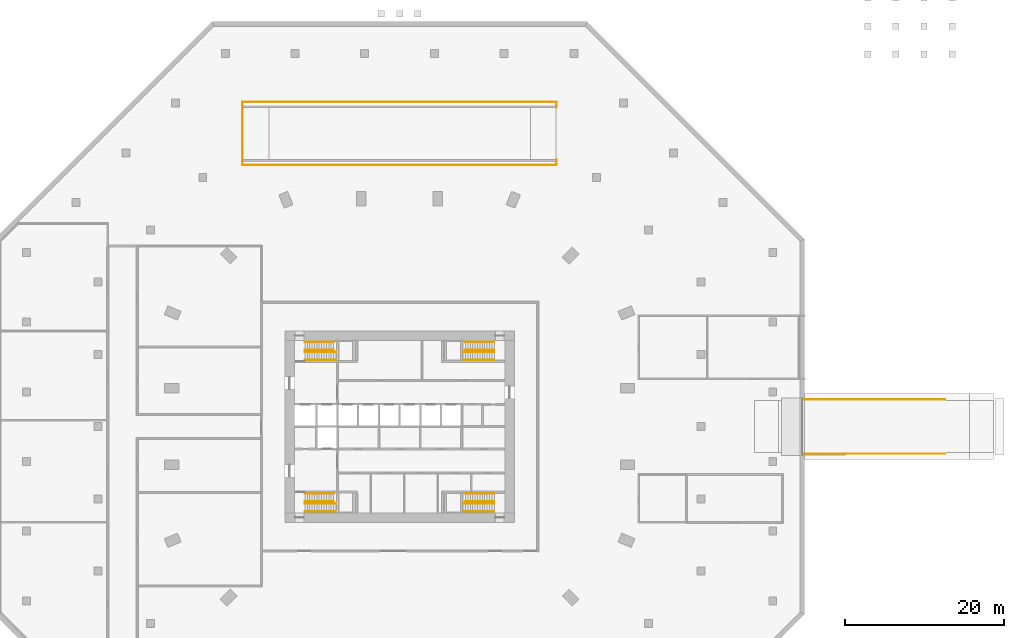
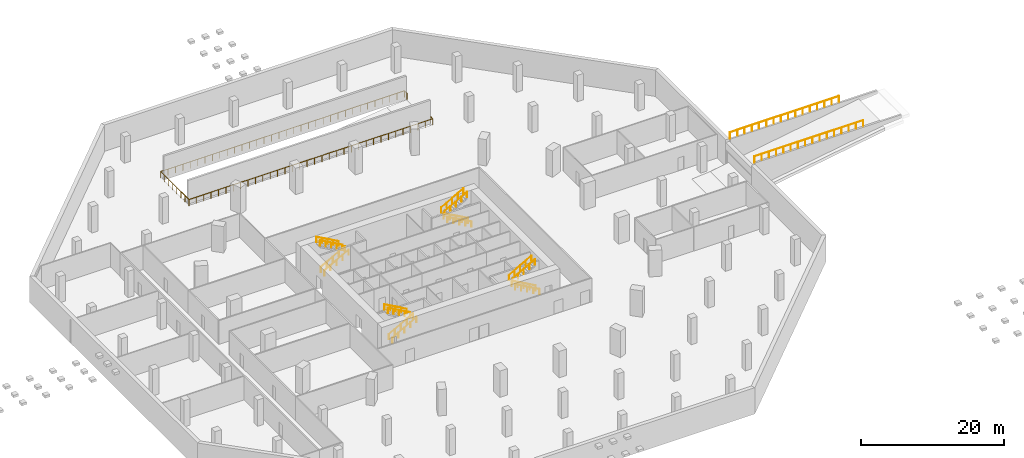
# One storey, part 11 of 11: 19 railings.
"""IFC4 building model written with IfcOpenShell, lengths in metres."""

from ifc_helpers import new_model, si_unit, direction, frame, origin, origin_2d, place, context, subcontext, project, spatial, circle, extrude, material, constituent, constituent_set, type_object, element, save


model = new_model("IFC4")

# Units and contexts
model_context = context("Model", 3, precision=1e-05, world=origin(), true_north=direction((0.0, 1.0)))
body_context = subcontext(model_context, "Body", "Model", "MODEL_VIEW")
ifc_project = project(units=[si_unit("LENGTHUNIT", "METRE"), si_unit("AREAUNIT", "SQUARE_METRE"), si_unit("VOLUMEUNIT", "CUBIC_METRE"), si_unit("PLANEANGLEUNIT", "RADIAN"), si_unit("MASSUNIT", "GRAM", prefix="KILO")], contexts=[model_context])

# Site, building, storey
site_placement = place(None, origin())
site = spatial("IfcSite", under=ifc_project, at=site_placement, CompositionType="ELEMENT")
building_placement = place(site_placement, origin())
building = spatial("IfcBuilding", under=site, at=building_placement, Name="Msitu Wima Residences", CompositionType="ELEMENT")
storey_placement = place(building_placement, frame((0.0, 0.0, -4.5)))
storey = spatial("IfcBuildingStorey", under=building, at=storey_placement, Name="B1", CompositionType="ELEMENT", Elevation=-4.5)

# Railings
ifc_material_1 = material(Name="Steel S355", Category="steel")
ifc_constituent_1 = constituent(ifc_material_1, Name="Steel S355")
ifc_material_2 = material(Name="Black powder coating")
ifc_constituent_2 = constituent(ifc_material_2, Name="Black powder coating")
ifc_constituent_set_1 = constituent_set(constituents=[ifc_constituent_1, ifc_constituent_2], Name="Steel S355")
railing_type_1 = type_object("IfcRailingType", Name="Ramp guard G1100", PredefinedType="GUARDRAIL", material=ifc_constituent_set_1)
railing_1_placement = place(storey_placement, frame((50.800048828125, -3.39990234375, 4.64990234375)))
element("IfcRailing", 1, at=railing_1_placement, inside=storey, type_object=railing_type_1, Name="Ramp edge guard", PredefinedType="GUARDRAIL", context=body_context, shape_type="SweptSolid", body=[
    extrude(circle(Radius=0.02392578125, at=origin_2d()), frame((0.0, 0.0, 1.076171875), z_axis=(1.0, 0.0, 0.0), x_axis=(0.0, 1.0, 0.0)), (0.0, 0.0, 1.0), 17.599853515625),
    extrude(circle(Radius=0.02099609375, at=origin_2d()), origin(), (0.0, 0.0, 1.0), 1.052001953125),
    extrude(circle(Radius=0.02099609375, at=origin_2d()), frame((1.17333984375, 0.0, 0.0)), (0.0, 0.0, 1.0), 1.052001953125),
    extrude(circle(Radius=0.02099609375, at=origin_2d()), frame((2.3466796875, 0.0, 0.0)), (0.0, 0.0, 1.0), 1.052001953125),
    extrude(circle(Radius=0.02099609375, at=origin_2d()), frame((3.52001953125, 0.0, 0.0)), (0.0, 0.0, 1.0), 1.052001953125),
    extrude(circle(Radius=0.02099609375, at=origin_2d()), frame((4.693359375, 0.0, 0.0)), (0.0, 0.0, 1.0), 1.052001953125),
    extrude(circle(Radius=0.02099609375, at=origin_2d()), frame((5.86669921875, 0.0, 0.0)), (0.0, 0.0, 1.0), 1.052001953125),
    extrude(circle(Radius=0.02099609375, at=origin_2d()), frame((7.0400390625, 0.0, 0.0)), (0.0, 0.0, 1.0), 1.052001953125),
    extrude(circle(Radius=0.02099609375, at=origin_2d()), frame((8.21337890625, 0.0, 0.0)), (0.0, 0.0, 1.0), 1.052001953125),
    extrude(circle(Radius=0.02099609375, at=origin_2d()), frame((9.386474609375, 0.0, 0.0)), (0.0, 0.0, 1.0), 1.052001953125),
    extrude(circle(Radius=0.02099609375, at=origin_2d()), frame((10.559814453125, 0.0, 0.0)), (0.0, 0.0, 1.0), 1.052001953125),
    extrude(circle(Radius=0.02099609375, at=origin_2d()), frame((11.733154296875, 0.0, 0.0)), (0.0, 0.0, 1.0), 1.052001953125),
    extrude(circle(Radius=0.02099609375, at=origin_2d()), frame((12.906494140625, 0.0, 0.0)), (0.0, 0.0, 1.0), 1.052001953125),
    extrude(circle(Radius=0.02099609375, at=origin_2d()), frame((14.079833984375, 0.0, 0.0)), (0.0, 0.0, 1.0), 1.052001953125),
    extrude(circle(Radius=0.02099609375, at=origin_2d()), frame((15.253173828125, 0.0, 0.0)), (0.0, 0.0, 1.0), 1.052001953125),
    extrude(circle(Radius=0.02099609375, at=origin_2d()), frame((16.426513671875, 0.0, 0.0)), (0.0, 0.0, 1.0), 1.052001953125),
    extrude(circle(Radius=0.02099609375, at=origin_2d()), frame((17.599853515625, 0.0, 0.0)), (0.0, 0.0, 1.0), 1.052001953125),
])
railing_2_placement = place(storey_placement, frame((50.800048828125, 3.39990234375, 4.64990234375)))
element("IfcRailing", 2, at=railing_2_placement, inside=storey, type_object=railing_type_1, Name="Ramp edge guard", PredefinedType="GUARDRAIL", context=body_context, shape_type="SweptSolid", body=[
    extrude(circle(Radius=0.02392578125, at=origin_2d()), frame((0.0, 0.0, 1.076171875), z_axis=(1.0, 0.0, 0.0), x_axis=(0.0, 1.0, 0.0)), (0.0, 0.0, 1.0), 17.599853515625),
    extrude(circle(Radius=0.02099609375, at=origin_2d()), origin(), (0.0, 0.0, 1.0), 1.052001953125),
    extrude(circle(Radius=0.02099609375, at=origin_2d()), frame((1.17333984375, 0.0, 0.0)), (0.0, 0.0, 1.0), 1.052001953125),
    extrude(circle(Radius=0.02099609375, at=origin_2d()), frame((2.3466796875, 0.0, 0.0)), (0.0, 0.0, 1.0), 1.052001953125),
    extrude(circle(Radius=0.02099609375, at=origin_2d()), frame((3.52001953125, 0.0, 0.0)), (0.0, 0.0, 1.0), 1.052001953125),
    extrude(circle(Radius=0.02099609375, at=origin_2d()), frame((4.693359375, 0.0, 0.0)), (0.0, 0.0, 1.0), 1.052001953125),
    extrude(circle(Radius=0.02099609375, at=origin_2d()), frame((5.86669921875, 0.0, 0.0)), (0.0, 0.0, 1.0), 1.052001953125),
    extrude(circle(Radius=0.02099609375, at=origin_2d()), frame((7.0400390625, 0.0, 0.0)), (0.0, 0.0, 1.0), 1.052001953125),
    extrude(circle(Radius=0.02099609375, at=origin_2d()), frame((8.21337890625, 0.0, 0.0)), (0.0, 0.0, 1.0), 1.052001953125),
    extrude(circle(Radius=0.02099609375, at=origin_2d()), frame((9.386474609375, 0.0, 0.0)), (0.0, 0.0, 1.0), 1.052001953125),
    extrude(circle(Radius=0.02099609375, at=origin_2d()), frame((10.559814453125, 0.0, 0.0)), (0.0, 0.0, 1.0), 1.052001953125),
    extrude(circle(Radius=0.02099609375, at=origin_2d()), frame((11.733154296875, 0.0, 0.0)), (0.0, 0.0, 1.0), 1.052001953125),
    extrude(circle(Radius=0.02099609375, at=origin_2d()), frame((12.906494140625, 0.0, 0.0)), (0.0, 0.0, 1.0), 1.052001953125),
    extrude(circle(Radius=0.02099609375, at=origin_2d()), frame((14.079833984375, 0.0, 0.0)), (0.0, 0.0, 1.0), 1.052001953125),
    extrude(circle(Radius=0.02099609375, at=origin_2d()), frame((15.253173828125, 0.0, 0.0)), (0.0, 0.0, 1.0), 1.052001953125),
    extrude(circle(Radius=0.02099609375, at=origin_2d()), frame((16.426513671875, 0.0, 0.0)), (0.0, 0.0, 1.0), 1.052001953125),
    extrude(circle(Radius=0.02099609375, at=origin_2d()), frame((17.599853515625, 0.0, 0.0)), (0.0, 0.0, 1.0), 1.052001953125),
])
ifc_constituent_3 = constituent(ifc_material_1, Name="Steel S355")
ifc_constituent_4 = constituent(ifc_material_2, Name="Black powder coating")
ifc_constituent_set_2 = constituent_set(constituents=[ifc_constituent_3, ifc_constituent_4], Name="Steel S355")
railing_type_2 = type_object("IfcRailingType", Name="Stair handrail HR1", PredefinedType="HANDRAIL", material=ifc_constituent_set_2)
for number, where, name in (
    (3, (-11.875, 8.375, 0.166748046875), "Stair 1 handrail"),
    (4, (-11.875, 9.375, 0.166748046875), "Stair 1 handrail"),
):
    element("IfcRailing", number, at=place(storey_placement, frame(where)), inside=storey, type_object=railing_type_2, Name=name, PredefinedType="HANDRAIL", context=body_context, shape_type="SweptSolid", body=[
        extrude(circle(Radius=0.02392578125, at=origin_2d()), frame((0.0, 0.0, 0.8759765625), z_axis=(0.874167601283, 0.0, 0.485624345423), x_axis=(0.0, 1.0, 0.0)), (0.0, 0.0, 1.0), 4.461181640625),
        extrude(circle(Radius=0.02099609375, at=origin_2d()), origin(), (0.0, 0.0, 1.0), 0.851806640625),
        extrude(circle(Radius=0.02099609375, at=origin_2d()), frame((0.97509765625, 0.0, 0.54150390625)), (0.0, 0.0, 1.0), 0.851806640625),
        extrude(circle(Radius=0.02099609375, at=origin_2d()), frame((1.949951171875, 0.0, 1.083251953125)), (0.0, 0.0, 1.0), 0.851806640625),
        extrude(circle(Radius=0.02099609375, at=origin_2d()), frame((2.9248046875, 0.0, 1.625)), (0.0, 0.0, 1.0), 0.851806640625),
        extrude(circle(Radius=0.02099609375, at=origin_2d()), frame((3.89990234375, 0.0, 2.16650390625)), (0.0, 0.0, 1.0), 0.851806640625),
    ])
for number, where, name in (
    (5, (-8.27490234375, 9.625, 2.5), "Stair 1 handrail"),
    (6, (-8.27490234375, 10.625, 2.5), "Stair 1 handrail"),
):
    element("IfcRailing", number, at=place(storey_placement, frame(where)), inside=storey, type_object=railing_type_2, Name=name, PredefinedType="HANDRAIL", context=body_context, shape_type="SweptSolid", body=[
        extrude(circle(Radius=0.02392578125, at=origin_2d()), frame((0.0, 0.0, 0.8759765625), z_axis=(-0.874162868644, 0.0, 0.485632864501), x_axis=(0.0, -1.0, 0.0)), (0.0, 0.0, 1.0), 4.118408203125),
        extrude(circle(Radius=0.02099609375, at=origin_2d()), origin(), (0.0, 0.0, 1.0), 0.851806640625),
        extrude(circle(Radius=0.02099609375, at=origin_2d()), frame((-0.89990234375, 0.0, 0.5)), (0.0, 0.0, 1.0), 0.851806640625),
        extrude(circle(Radius=0.02099609375, at=origin_2d()), frame((-1.800048828125, 0.0, 1.0)), (0.0, 0.0, 1.0), 0.851806640625),
        extrude(circle(Radius=0.02099609375, at=origin_2d()), frame((-2.7001953125, 0.0, 1.5)), (0.0, 0.0, 1.0), 0.851806640625),
        extrude(circle(Radius=0.02099609375, at=origin_2d()), frame((-3.60009765625, 0.0, 2.0)), (0.0, 0.0, 1.0), 0.851806640625),
    ])
for number, where, name in (
    (7, (-11.875, -10.625, 0.166748046875), "Stair 2 handrail"),
    (8, (-11.875, -9.625, 0.166748046875), "Stair 2 handrail"),
):
    element("IfcRailing", number, at=place(storey_placement, frame(where)), inside=storey, type_object=railing_type_2, Name=name, PredefinedType="HANDRAIL", context=body_context, shape_type="SweptSolid", body=[
        extrude(circle(Radius=0.02392578125, at=origin_2d()), frame((0.0, 0.0, 0.8759765625), z_axis=(0.874167601283, 0.0, 0.485624345423), x_axis=(0.0, 1.0, 0.0)), (0.0, 0.0, 1.0), 4.461181640625),
        extrude(circle(Radius=0.02099609375, at=origin_2d()), origin(), (0.0, 0.0, 1.0), 0.851806640625),
        extrude(circle(Radius=0.02099609375, at=origin_2d()), frame((0.97509765625, 0.0, 0.54150390625)), (0.0, 0.0, 1.0), 0.851806640625),
        extrude(circle(Radius=0.02099609375, at=origin_2d()), frame((1.949951171875, 0.0, 1.083251953125)), (0.0, 0.0, 1.0), 0.851806640625),
        extrude(circle(Radius=0.02099609375, at=origin_2d()), frame((2.9248046875, 0.0, 1.625)), (0.0, 0.0, 1.0), 0.851806640625),
        extrude(circle(Radius=0.02099609375, at=origin_2d()), frame((3.89990234375, 0.0, 2.16650390625)), (0.0, 0.0, 1.0), 0.851806640625),
    ])
for number, where, name in (
    (9, (-8.27490234375, -9.375, 2.5), "Stair 2 handrail"),
    (10, (-8.27490234375, -8.375, 2.5), "Stair 2 handrail"),
):
    element("IfcRailing", number, at=place(storey_placement, frame(where)), inside=storey, type_object=railing_type_2, Name=name, PredefinedType="HANDRAIL", context=body_context, shape_type="SweptSolid", body=[
        extrude(circle(Radius=0.02392578125, at=origin_2d()), frame((0.0, 0.0, 0.8759765625), z_axis=(-0.874162868644, 0.0, 0.485632864501), x_axis=(0.0, -1.0, 0.0)), (0.0, 0.0, 1.0), 4.118408203125),
        extrude(circle(Radius=0.02099609375, at=origin_2d()), origin(), (0.0, 0.0, 1.0), 0.851806640625),
        extrude(circle(Radius=0.02099609375, at=origin_2d()), frame((-0.89990234375, 0.0, 0.5)), (0.0, 0.0, 1.0), 0.851806640625),
        extrude(circle(Radius=0.02099609375, at=origin_2d()), frame((-1.800048828125, 0.0, 1.0)), (0.0, 0.0, 1.0), 0.851806640625),
        extrude(circle(Radius=0.02099609375, at=origin_2d()), frame((-2.7001953125, 0.0, 1.5)), (0.0, 0.0, 1.0), 0.851806640625),
        extrude(circle(Radius=0.02099609375, at=origin_2d()), frame((-3.60009765625, 0.0, 2.0)), (0.0, 0.0, 1.0), 0.851806640625),
    ])
for number, where, name in (
    (11, (11.875, 8.375, 0.166748046875), "Stair 3 handrail"),
    (12, (11.875, 9.375, 0.166748046875), "Stair 3 handrail"),
):
    element("IfcRailing", number, at=place(storey_placement, frame(where)), inside=storey, type_object=railing_type_2, Name=name, PredefinedType="HANDRAIL", context=body_context, shape_type="SweptSolid", body=[
        extrude(circle(Radius=0.02392578125, at=origin_2d()), frame((0.0, 0.0, 0.8759765625), z_axis=(-0.874167601283, 0.0, 0.485624345423), x_axis=(0.0, -1.0, 0.0)), (0.0, 0.0, 1.0), 4.461181640625),
        extrude(circle(Radius=0.02099609375, at=origin_2d()), origin(), (0.0, 0.0, 1.0), 0.851806640625),
        extrude(circle(Radius=0.02099609375, at=origin_2d()), frame((-0.97509765625, 0.0, 0.54150390625)), (0.0, 0.0, 1.0), 0.851806640625),
        extrude(circle(Radius=0.02099609375, at=origin_2d()), frame((-1.949951171875, 0.0, 1.083251953125)), (0.0, 0.0, 1.0), 0.851806640625),
        extrude(circle(Radius=0.02099609375, at=origin_2d()), frame((-2.9248046875, 0.0, 1.625)), (0.0, 0.0, 1.0), 0.851806640625),
        extrude(circle(Radius=0.02099609375, at=origin_2d()), frame((-3.89990234375, 0.0, 2.16650390625)), (0.0, 0.0, 1.0), 0.851806640625),
    ])
for number, where, name in (
    (13, (8.27490234375, 9.625, 2.5), "Stair 3 handrail"),
    (14, (8.27490234375, 10.625, 2.5), "Stair 3 handrail"),
):
    element("IfcRailing", number, at=place(storey_placement, frame(where)), inside=storey, type_object=railing_type_2, Name=name, PredefinedType="HANDRAIL", context=body_context, shape_type="SweptSolid", body=[
        extrude(circle(Radius=0.02392578125, at=origin_2d()), frame((0.0, 0.0, 0.8759765625), z_axis=(0.874162868644, 0.0, 0.485632864501), x_axis=(0.0, 1.0, 0.0)), (0.0, 0.0, 1.0), 4.118408203125),
        extrude(circle(Radius=0.02099609375, at=origin_2d()), origin(), (0.0, 0.0, 1.0), 0.851806640625),
        extrude(circle(Radius=0.02099609375, at=origin_2d()), frame((0.89990234375, 0.0, 0.5)), (0.0, 0.0, 1.0), 0.851806640625),
        extrude(circle(Radius=0.02099609375, at=origin_2d()), frame((1.800048828125, 0.0, 1.0)), (0.0, 0.0, 1.0), 0.851806640625),
        extrude(circle(Radius=0.02099609375, at=origin_2d()), frame((2.7001953125, 0.0, 1.5)), (0.0, 0.0, 1.0), 0.851806640625),
        extrude(circle(Radius=0.02099609375, at=origin_2d()), frame((3.60009765625, 0.0, 2.0)), (0.0, 0.0, 1.0), 0.851806640625),
    ])
for number, where, name in (
    (15, (11.875, -10.625, 0.166748046875), "Stair 4 handrail"),
    (16, (11.875, -9.625, 0.166748046875), "Stair 4 handrail"),
):
    element("IfcRailing", number, at=place(storey_placement, frame(where)), inside=storey, type_object=railing_type_2, Name=name, PredefinedType="HANDRAIL", context=body_context, shape_type="SweptSolid", body=[
        extrude(circle(Radius=0.02392578125, at=origin_2d()), frame((0.0, 0.0, 0.8759765625), z_axis=(-0.874167601283, 0.0, 0.485624345423), x_axis=(0.0, -1.0, 0.0)), (0.0, 0.0, 1.0), 4.461181640625),
        extrude(circle(Radius=0.02099609375, at=origin_2d()), origin(), (0.0, 0.0, 1.0), 0.851806640625),
        extrude(circle(Radius=0.02099609375, at=origin_2d()), frame((-0.97509765625, 0.0, 0.54150390625)), (0.0, 0.0, 1.0), 0.851806640625),
        extrude(circle(Radius=0.02099609375, at=origin_2d()), frame((-1.949951171875, 0.0, 1.083251953125)), (0.0, 0.0, 1.0), 0.851806640625),
        extrude(circle(Radius=0.02099609375, at=origin_2d()), frame((-2.9248046875, 0.0, 1.625)), (0.0, 0.0, 1.0), 0.851806640625),
        extrude(circle(Radius=0.02099609375, at=origin_2d()), frame((-3.89990234375, 0.0, 2.16650390625)), (0.0, 0.0, 1.0), 0.851806640625),
    ])
for number, where, name in (
    (17, (8.27490234375, -9.375, 2.5), "Stair 4 handrail"),
    (18, (8.27490234375, -8.375, 2.5), "Stair 4 handrail"),
):
    element("IfcRailing", number, at=place(storey_placement, frame(where)), inside=storey, type_object=railing_type_2, Name=name, PredefinedType="HANDRAIL", context=body_context, shape_type="SweptSolid", body=[
        extrude(circle(Radius=0.02392578125, at=origin_2d()), frame((0.0, 0.0, 0.8759765625), z_axis=(0.874162868644, 0.0, 0.485632864501), x_axis=(0.0, 1.0, 0.0)), (0.0, 0.0, 1.0), 4.118408203125),
        extrude(circle(Radius=0.02099609375, at=origin_2d()), origin(), (0.0, 0.0, 1.0), 0.851806640625),
        extrude(circle(Radius=0.02099609375, at=origin_2d()), frame((0.89990234375, 0.0, 0.5)), (0.0, 0.0, 1.0), 0.851806640625),
        extrude(circle(Radius=0.02099609375, at=origin_2d()), frame((1.800048828125, 0.0, 1.0)), (0.0, 0.0, 1.0), 0.851806640625),
        extrude(circle(Radius=0.02099609375, at=origin_2d()), frame((2.7001953125, 0.0, 1.5)), (0.0, 0.0, 1.0), 0.851806640625),
        extrude(circle(Radius=0.02099609375, at=origin_2d()), frame((3.60009765625, 0.0, 2.0)), (0.0, 0.0, 1.0), 0.851806640625),
    ])
ifc_constituent_5 = constituent(ifc_material_1, Name="Steel S355")
ifc_material_3 = material(Name="Weathering patina")
ifc_constituent_6 = constituent(ifc_material_3, Name="Weathering patina")
ifc_constituent_set_3 = constituent_set(constituents=[ifc_constituent_5, ifc_constituent_6], Name="Steel S355")
railing_type_3 = type_object("IfcRailingType", Name="Terrace guard GR1100", PredefinedType="GUARDRAIL", material=ifc_constituent_set_3)
railing_3_placement = place(storey_placement, frame((19.699951171875, 33.5, 0.0)))
element("IfcRailing", 19, at=railing_3_placement, inside=storey, type_object=railing_type_3, Name="Ramp opening guard", PredefinedType="GUARDRAIL", context=body_context, shape_type="SweptSolid", body=[
    extrude(circle(Radius=0.02392578125, at=origin_2d()), frame((0.0, 0.0, 1.076171875), z_axis=(0.0, -1.0, 0.0), x_axis=(1.0, 0.0, 0.0)), (0.0, 0.0, 1.0), 0.699951171875),
    extrude(circle(Radius=0.02392578125, at=origin_2d()), frame((0.0, -0.699951171875, 1.076171875), z_axis=(-1.0, 0.0, 0.0), x_axis=(0.0, -1.0, 0.0)), (0.0, 0.0, 1.0), 39.39990234375),
    extrude(circle(Radius=0.02392578125, at=origin_2d()), frame((-39.39990234375, -0.699951171875, 1.076171875), z_axis=(0.0, 1.0, 0.0), x_axis=(-1.0, 0.0, 0.0)), (0.0, 0.0, 1.0), 7.89990234375),
    extrude(circle(Radius=0.02392578125, at=origin_2d()), frame((-39.39990234375, 7.199951171875, 1.076171875), z_axis=(1.0, 0.0, 0.0), x_axis=(0.0, 1.0, 0.0)), (0.0, 0.0, 1.0), 39.39990234375),
    extrude(circle(Radius=0.02392578125, at=origin_2d()), frame((0.0, 7.199951171875, 1.076171875), z_axis=(0.0, -1.0, 0.0), x_axis=(1.0, 0.0, 0.0)), (0.0, 0.0, 1.0), 0.699951171875),
    extrude(circle(Radius=0.02099609375, at=origin_2d()), origin(), (0.0, 0.0, 1.0), 1.052001953125),
    extrude(circle(Radius=0.02099609375, at=origin_2d()), frame((0.0, -0.699951171875, 0.0)), (0.0, 0.0, 1.0), 1.052001953125),
    extrude(circle(Radius=0.02099609375, at=origin_2d()), frame((-1.19384765625, -0.699951171875, 0.0)), (0.0, 0.0, 1.0), 1.052001953125),
    extrude(circle(Radius=0.02099609375, at=origin_2d()), frame((-2.387939453125, -0.699951171875, 0.0)), (0.0, 0.0, 1.0), 1.052001953125),
    extrude(circle(Radius=0.02099609375, at=origin_2d()), frame((-3.581787109375, -0.699951171875, 0.0)), (0.0, 0.0, 1.0), 1.052001953125),
    extrude(circle(Radius=0.02099609375, at=origin_2d()), frame((-4.775634765625, -0.699951171875, 0.0)), (0.0, 0.0, 1.0), 1.052001953125),
    extrude(circle(Radius=0.02099609375, at=origin_2d()), frame((-5.9697265625, -0.699951171875, 0.0)), (0.0, 0.0, 1.0), 1.052001953125),
    extrude(circle(Radius=0.02099609375, at=origin_2d()), frame((-7.16357421875, -0.699951171875, 0.0)), (0.0, 0.0, 1.0), 1.052001953125),
    extrude(circle(Radius=0.02099609375, at=origin_2d()), frame((-8.357666015625, -0.699951171875, 0.0)), (0.0, 0.0, 1.0), 1.052001953125),
    extrude(circle(Radius=0.02099609375, at=origin_2d()), frame((-9.551513671875, -0.699951171875, 0.0)), (0.0, 0.0, 1.0), 1.052001953125),
    extrude(circle(Radius=0.02099609375, at=origin_2d()), frame((-10.745361328125, -0.699951171875, 0.0)), (0.0, 0.0, 1.0), 1.052001953125),
    extrude(circle(Radius=0.02099609375, at=origin_2d()), frame((-11.939453125, -0.699951171875, 0.0)), (0.0, 0.0, 1.0), 1.052001953125),
    extrude(circle(Radius=0.02099609375, at=origin_2d()), frame((-13.13330078125, -0.699951171875, 0.0)), (0.0, 0.0, 1.0), 1.052001953125),
    extrude(circle(Radius=0.02099609375, at=origin_2d()), frame((-14.3271484375, -0.699951171875, 0.0)), (0.0, 0.0, 1.0), 1.052001953125),
    extrude(circle(Radius=0.02099609375, at=origin_2d()), frame((-15.521240234375, -0.699951171875, 0.0)), (0.0, 0.0, 1.0), 1.052001953125),
    extrude(circle(Radius=0.02099609375, at=origin_2d()), frame((-16.715087890625, -0.699951171875, 0.0)), (0.0, 0.0, 1.0), 1.052001953125),
    extrude(circle(Radius=0.02099609375, at=origin_2d()), frame((-17.908935546875, -0.699951171875, 0.0)), (0.0, 0.0, 1.0), 1.052001953125),
    extrude(circle(Radius=0.02099609375, at=origin_2d()), frame((-19.10302734375, -0.699951171875, 0.0)), (0.0, 0.0, 1.0), 1.052001953125),
    extrude(circle(Radius=0.02099609375, at=origin_2d()), frame((-20.296875, -0.699951171875, 0.0)), (0.0, 0.0, 1.0), 1.052001953125),
    extrude(circle(Radius=0.02099609375, at=origin_2d()), frame((-21.490966796875, -0.699951171875, 0.0)), (0.0, 0.0, 1.0), 1.052001953125),
    extrude(circle(Radius=0.02099609375, at=origin_2d()), frame((-22.684814453125, -0.699951171875, 0.0)), (0.0, 0.0, 1.0), 1.052001953125),
    extrude(circle(Radius=0.02099609375, at=origin_2d()), frame((-23.878662109375, -0.699951171875, 0.0)), (0.0, 0.0, 1.0), 1.052001953125),
    extrude(circle(Radius=0.02099609375, at=origin_2d()), frame((-25.07275390625, -0.699951171875, 0.0)), (0.0, 0.0, 1.0), 1.052001953125),
    extrude(circle(Radius=0.02099609375, at=origin_2d()), frame((-26.2666015625, -0.699951171875, 0.0)), (0.0, 0.0, 1.0), 1.052001953125),
    extrude(circle(Radius=0.02099609375, at=origin_2d()), frame((-27.46044921875, -0.699951171875, 0.0)), (0.0, 0.0, 1.0), 1.052001953125),
    extrude(circle(Radius=0.02099609375, at=origin_2d()), frame((-28.654541015625, -0.699951171875, 0.0)), (0.0, 0.0, 1.0), 1.052001953125),
    extrude(circle(Radius=0.02099609375, at=origin_2d()), frame((-29.848388671875, -0.699951171875, 0.0)), (0.0, 0.0, 1.0), 1.052001953125),
    extrude(circle(Radius=0.02099609375, at=origin_2d()), frame((-31.042236328125, -0.699951171875, 0.0)), (0.0, 0.0, 1.0), 1.052001953125),
    extrude(circle(Radius=0.02099609375, at=origin_2d()), frame((-32.236328125, -0.699951171875, 0.0)), (0.0, 0.0, 1.0), 1.052001953125),
    extrude(circle(Radius=0.02099609375, at=origin_2d()), frame((-33.43017578125, -0.699951171875, 0.0)), (0.0, 0.0, 1.0), 1.052001953125),
    extrude(circle(Radius=0.02099609375, at=origin_2d()), frame((-34.624267578125, -0.699951171875, 0.0)), (0.0, 0.0, 1.0), 1.052001953125),
    extrude(circle(Radius=0.02099609375, at=origin_2d()), frame((-35.818115234375, -0.699951171875, 0.0)), (0.0, 0.0, 1.0), 1.052001953125),
    extrude(circle(Radius=0.02099609375, at=origin_2d()), frame((-37.011962890625, -0.699951171875, 0.0)), (0.0, 0.0, 1.0), 1.052001953125),
    extrude(circle(Radius=0.02099609375, at=origin_2d()), frame((-38.2060546875, -0.699951171875, 0.0)), (0.0, 0.0, 1.0), 1.052001953125),
    extrude(circle(Radius=0.02099609375, at=origin_2d()), frame((-39.39990234375, -0.699951171875, 0.0)), (0.0, 0.0, 1.0), 1.052001953125),
    extrude(circle(Radius=0.02099609375, at=origin_2d()), frame((-39.39990234375, 0.4287109375, 0.0)), (0.0, 0.0, 1.0), 1.052001953125),
    extrude(circle(Radius=0.02099609375, at=origin_2d()), frame((-39.39990234375, 1.55712890625, 0.0)), (0.0, 0.0, 1.0), 1.052001953125),
    extrude(circle(Radius=0.02099609375, at=origin_2d()), frame((-39.39990234375, 2.685791015625, 0.0)), (0.0, 0.0, 1.0), 1.052001953125),
    extrude(circle(Radius=0.02099609375, at=origin_2d()), frame((-39.39990234375, 3.814208984375, 0.0)), (0.0, 0.0, 1.0), 1.052001953125),
    extrude(circle(Radius=0.02099609375, at=origin_2d()), frame((-39.39990234375, 4.94287109375, 0.0)), (0.0, 0.0, 1.0), 1.052001953125),
    extrude(circle(Radius=0.02099609375, at=origin_2d()), frame((-39.39990234375, 6.0712890625, 0.0)), (0.0, 0.0, 1.0), 1.052001953125),
    extrude(circle(Radius=0.02099609375, at=origin_2d()), frame((-39.39990234375, 7.199951171875, 0.0)), (0.0, 0.0, 1.0), 1.052001953125),
    extrude(circle(Radius=0.02099609375, at=origin_2d()), frame((-38.2060546875, 7.199951171875, 0.0)), (0.0, 0.0, 1.0), 1.052001953125),
    extrude(circle(Radius=0.02099609375, at=origin_2d()), frame((-37.011962890625, 7.199951171875, 0.0)), (0.0, 0.0, 1.0), 1.052001953125),
    extrude(circle(Radius=0.02099609375, at=origin_2d()), frame((-35.818115234375, 7.199951171875, 0.0)), (0.0, 0.0, 1.0), 1.052001953125),
    extrude(circle(Radius=0.02099609375, at=origin_2d()), frame((-34.624267578125, 7.199951171875, 0.0)), (0.0, 0.0, 1.0), 1.052001953125),
    extrude(circle(Radius=0.02099609375, at=origin_2d()), frame((-33.43017578125, 7.199951171875, 0.0)), (0.0, 0.0, 1.0), 1.052001953125),
    extrude(circle(Radius=0.02099609375, at=origin_2d()), frame((-32.236328125, 7.199951171875, 0.0)), (0.0, 0.0, 1.0), 1.052001953125),
    extrude(circle(Radius=0.02099609375, at=origin_2d()), frame((-31.042236328125, 7.199951171875, 0.0)), (0.0, 0.0, 1.0), 1.052001953125),
    extrude(circle(Radius=0.02099609375, at=origin_2d()), frame((-29.848388671875, 7.199951171875, 0.0)), (0.0, 0.0, 1.0), 1.052001953125),
    extrude(circle(Radius=0.02099609375, at=origin_2d()), frame((-28.654541015625, 7.199951171875, 0.0)), (0.0, 0.0, 1.0), 1.052001953125),
    extrude(circle(Radius=0.02099609375, at=origin_2d()), frame((-27.46044921875, 7.199951171875, 0.0)), (0.0, 0.0, 1.0), 1.052001953125),
    extrude(circle(Radius=0.02099609375, at=origin_2d()), frame((-26.2666015625, 7.199951171875, 0.0)), (0.0, 0.0, 1.0), 1.052001953125),
    extrude(circle(Radius=0.02099609375, at=origin_2d()), frame((-25.07275390625, 7.199951171875, 0.0)), (0.0, 0.0, 1.0), 1.052001953125),
    extrude(circle(Radius=0.02099609375, at=origin_2d()), frame((-23.878662109375, 7.199951171875, 0.0)), (0.0, 0.0, 1.0), 1.052001953125),
    extrude(circle(Radius=0.02099609375, at=origin_2d()), frame((-22.684814453125, 7.199951171875, 0.0)), (0.0, 0.0, 1.0), 1.052001953125),
    extrude(circle(Radius=0.02099609375, at=origin_2d()), frame((-21.490966796875, 7.199951171875, 0.0)), (0.0, 0.0, 1.0), 1.052001953125),
    extrude(circle(Radius=0.02099609375, at=origin_2d()), frame((-20.296875, 7.199951171875, 0.0)), (0.0, 0.0, 1.0), 1.052001953125),
    extrude(circle(Radius=0.02099609375, at=origin_2d()), frame((-19.10302734375, 7.199951171875, 0.0)), (0.0, 0.0, 1.0), 1.052001953125),
    extrude(circle(Radius=0.02099609375, at=origin_2d()), frame((-17.908935546875, 7.199951171875, 0.0)), (0.0, 0.0, 1.0), 1.052001953125),
    extrude(circle(Radius=0.02099609375, at=origin_2d()), frame((-16.715087890625, 7.199951171875, 0.0)), (0.0, 0.0, 1.0), 1.052001953125),
    extrude(circle(Radius=0.02099609375, at=origin_2d()), frame((-15.521240234375, 7.199951171875, 0.0)), (0.0, 0.0, 1.0), 1.052001953125),
    extrude(circle(Radius=0.02099609375, at=origin_2d()), frame((-14.3271484375, 7.199951171875, 0.0)), (0.0, 0.0, 1.0), 1.052001953125),
    extrude(circle(Radius=0.02099609375, at=origin_2d()), frame((-13.13330078125, 7.199951171875, 0.0)), (0.0, 0.0, 1.0), 1.052001953125),
    extrude(circle(Radius=0.02099609375, at=origin_2d()), frame((-11.939453125, 7.199951171875, 0.0)), (0.0, 0.0, 1.0), 1.052001953125),
    extrude(circle(Radius=0.02099609375, at=origin_2d()), frame((-10.745361328125, 7.199951171875, 0.0)), (0.0, 0.0, 1.0), 1.052001953125),
    extrude(circle(Radius=0.02099609375, at=origin_2d()), frame((-9.551513671875, 7.199951171875, 0.0)), (0.0, 0.0, 1.0), 1.052001953125),
    extrude(circle(Radius=0.02099609375, at=origin_2d()), frame((-8.357666015625, 7.199951171875, 0.0)), (0.0, 0.0, 1.0), 1.052001953125),
    extrude(circle(Radius=0.02099609375, at=origin_2d()), frame((-7.16357421875, 7.199951171875, 0.0)), (0.0, 0.0, 1.0), 1.052001953125),
    extrude(circle(Radius=0.02099609375, at=origin_2d()), frame((-5.9697265625, 7.199951171875, 0.0)), (0.0, 0.0, 1.0), 1.052001953125),
    extrude(circle(Radius=0.02099609375, at=origin_2d()), frame((-4.775634765625, 7.199951171875, 0.0)), (0.0, 0.0, 1.0), 1.052001953125),
    extrude(circle(Radius=0.02099609375, at=origin_2d()), frame((-3.581787109375, 7.199951171875, 0.0)), (0.0, 0.0, 1.0), 1.052001953125),
    extrude(circle(Radius=0.02099609375, at=origin_2d()), frame((-2.387939453125, 7.199951171875, 0.0)), (0.0, 0.0, 1.0), 1.052001953125),
    extrude(circle(Radius=0.02099609375, at=origin_2d()), frame((-1.19384765625, 7.199951171875, 0.0)), (0.0, 0.0, 1.0), 1.052001953125),
    extrude(circle(Radius=0.02099609375, at=origin_2d()), frame((0.0, 7.199951171875, 0.0)), (0.0, 0.0, 1.0), 1.052001953125),
    extrude(circle(Radius=0.02099609375, at=origin_2d()), frame((0.0, 6.5, 0.0)), (0.0, 0.0, 1.0), 1.052001953125),
])

save(model, "model.ifc")
